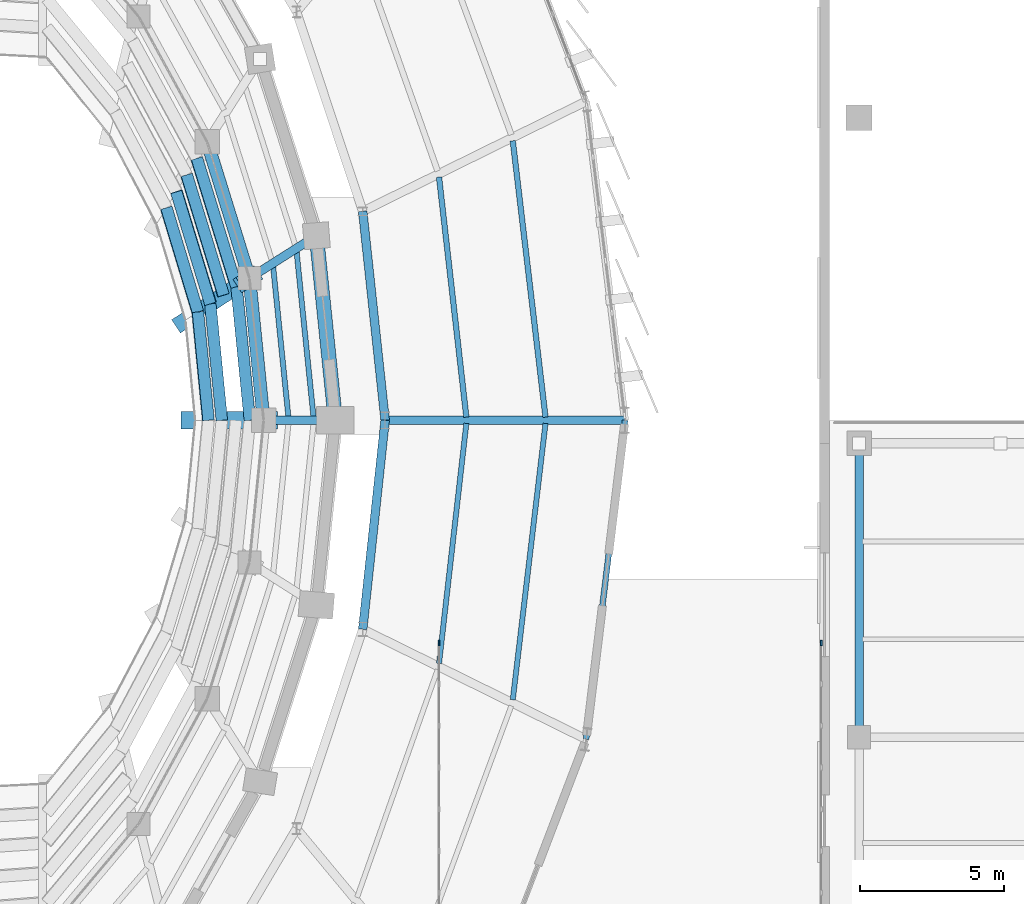
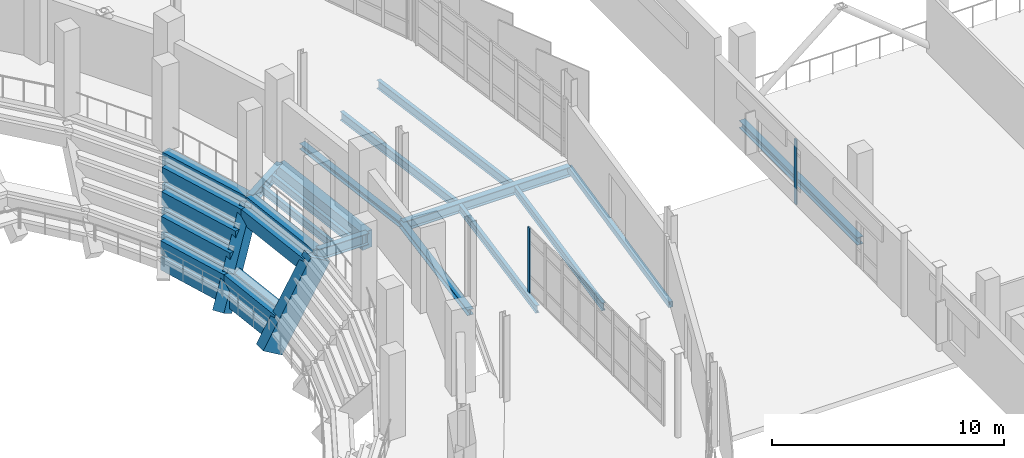
# One storey, part 72 of 134: 30 beams, 2 members, 2 elements without a shape of their own.
"""IFC4 building model written with IfcOpenShell, lengths in metres."""

from ifc_helpers import new_model, si_unit, direction, frame, origin, origin_2d, place, context, subcontext, project, spatial, rectangle, hollow_rectangle, i_section, extrude, material, layer, layer_set, material_profile, profile_set, type_object, element, aggregate, save


model = new_model("IFC4")

# Units and contexts
model_context = context("Model", 3, precision=1e-05, world=origin(), true_north=direction((0.0, 1.0)))
body_context = subcontext(model_context, "Body", "Model", "MODEL_VIEW")
ifc_project = project(units=[si_unit("LENGTHUNIT", "METRE"), si_unit("AREAUNIT", "SQUARE_METRE"), si_unit("VOLUMEUNIT", "CUBIC_METRE"), si_unit("PLANEANGLEUNIT", "RADIAN"), si_unit("MASSUNIT", "GRAM", prefix="KILO")], contexts=[model_context])

# Site, building, storey
site_placement = place(None, origin())
site = spatial("IfcSite", under=ifc_project, at=site_placement, CompositionType="ELEMENT")
building_placement = place(site_placement, origin())
building = spatial("IfcBuilding", under=site, at=building_placement, Name="Sohan Crest Arena", CompositionType="ELEMENT")
storey_placement = place(building_placement, frame((0.0, 0.0, 4.5)))
storey = spatial("IfcBuildingStorey", under=building, at=storey_placement, Name="L01", CompositionType="ELEMENT", Elevation=4.5)

# Curtain wall, member
ifc_material_1 = material(Name="Thermally broken anodised aluminium", Category="aluminium")
ifc_layer = layer(ifc_material_1, 0.18994140625, Name="Thermally broken anodised aluminium")
ifc_layer_set = layer_set([ifc_layer], Name="Thermally broken anodised aluminium")
curtain_wall_type = type_object("IfcCurtainWallType", Name="ARC-CW05", PredefinedType="NOTDEFINED", material=ifc_layer_set)
curtain_wall_1_placement = place(storey_placement, origin())
curtain_wall_1 = element("IfcCurtainWall", 1, at=curtain_wall_1_placement, inside=storey, type_object=curtain_wall_type, Name="Unitised curtain wall CW-241", PredefinedType="NOTDEFINED")
ifc_material_profile_1 = material_profile(ifc_material_1, rectangle(XDim=0.06494140625, YDim=0.179931640625, at=origin_2d()), Name="ALU-MULL 65x180")
ifc_profile_set_1 = profile_set([ifc_material_profile_1], Name="Thermally broken anodised aluminium")
member_type = type_object("IfcMemberType", Name="ARC-CW-ML02", PredefinedType="MULLION", material=ifc_profile_set_1)
member_1_placement = place(storey_placement, frame((181.6201171875, 70.267578125, 0.0), z_axis=(0.0, 0.0, 1.0), x_axis=(-1.0, 0.0, 0.0)))
member_1 = element("IfcMember", 2, at=member_1_placement, type_object=member_type, Name="CW-241 mullion 9", PredefinedType="MULLION", context=body_context, shape_type="SweptSolid", body=[
    extrude(rectangle(XDim=0.06494140625, YDim=0.179931640625, at=origin_2d()), origin(), (0.0, 0.0, 1.0), 3.39990234375),
])
aggregate(curtain_wall_1, [member_1])

curtain_wall_2_placement = place(storey_placement, origin())
curtain_wall_2 = element("IfcCurtainWall", 3, at=curtain_wall_2_placement, inside=storey, type_object=curtain_wall_type, Name="Unitised curtain wall CW-242", PredefinedType="NOTDEFINED")
member_2_placement = place(storey_placement, frame((194.8798828125, 70.267578125, 0.0), z_axis=(0.0, 0.0, 1.0), x_axis=(-1.0, 0.0, 0.0)))
member_2 = element("IfcMember", 4, at=member_2_placement, type_object=member_type, Name="CW-242 mullion 9", PredefinedType="MULLION", context=body_context, shape_type="SweptSolid", body=[
    extrude(rectangle(XDim=0.06494140625, YDim=0.179931640625, at=origin_2d()), origin(), (0.0, 0.0, 1.0), 3.39990234375),
])
aggregate(curtain_wall_2, [member_2])

# Beams
ifc_material_2 = material(Name="Steel S355", Category="steel")
ifc_material_profile_2 = material_profile(ifc_material_2, i_section(OverallWidth=0.179931640625, OverallDepth=0.39990234375, WebThickness=0.008544921875, FlangeThickness=0.013427734375, at=origin_2d()), Name="IPE 400")
ifc_profile_set_2 = profile_set([ifc_material_profile_2], Name="Steel S355")
beam_type_1 = type_object("IfcBeamType", Name="STR-BM-B03", PredefinedType="JOIST", material=ifc_profile_set_2)
beam_1_placement = place(storey_placement, frame((176.39306640625, 78.10888671875, -0.449951171875), z_axis=(-0.101030499598, 0.994883328914, 0.0), x_axis=(-0.994883328914, -0.101030499598, 0.0)))
element("IfcBeam", 5, at=beam_1_placement, inside=storey, type_object=beam_type_1, Name="Structural beam J-L01-0576", PredefinedType="JOIST", context=body_context, shape_type="SweptSolid", body=[
    extrude(i_section(OverallWidth=0.179931640625, OverallDepth=0.39990234375, WebThickness=0.008544921875, FlangeThickness=0.013427734375, at=origin_2d()), origin(), (0.0, 0.0, 1.0), 5.255859375),
])
beam_2_placement = place(storey_placement, frame((177.264892578125, 78.10888671875, -0.449951171875), z_axis=(-0.101947356638, 0.99478979512, 0.0), x_axis=(-0.99478979512, -0.101947356638, 0.0)))
element("IfcBeam", 6, at=beam_2_placement, inside=storey, type_object=beam_type_1, Name="Structural beam J-L01-0577", PredefinedType="JOIST", context=body_context, shape_type="SweptSolid", body=[
    extrude(i_section(OverallWidth=0.179931640625, OverallDepth=0.39990234375, WebThickness=0.008544921875, FlangeThickness=0.013427734375, at=origin_2d()), origin(), (0.0, 0.0, 1.0), 5.776123046875),
])
beam_3_placement = place(storey_placement, frame((181.6201171875, 69.55908203125, -0.47509765625), z_axis=(0.11316313726, 0.993576420999, 0.0), x_axis=(-0.993576420999, 0.11316313726, 0.0)))
element("IfcBeam", 7, at=beam_3_placement, inside=storey, type_object=beam_type_1, Name="Structural beam J-L01-1190", PredefinedType="JOIST", context=body_context, shape_type="SweptSolid", body=[
    extrude(i_section(OverallWidth=0.179931640625, OverallDepth=0.39990234375, WebThickness=0.008544921875, FlangeThickness=0.013427734375, at=origin_2d()), origin(), (0.0, 0.0, 1.0), 8.385986328125),
])
beam_4_placement = place(storey_placement, frame((184.179931640625, 68.299072265625, -0.47509765625), z_axis=(0.117608198901, 0.993060074493, 0.0), x_axis=(-0.993060074493, 0.117608198901, 0.0)))
element("IfcBeam", 8, at=beam_4_placement, inside=storey, type_object=beam_type_1, Name="Structural beam J-L01-1191", PredefinedType="JOIST", context=body_context, shape_type="SweptSolid", body=[
    extrude(i_section(OverallWidth=0.179931640625, OverallDepth=0.39990234375, WebThickness=0.008544921875, FlangeThickness=0.013427734375, at=origin_2d()), origin(), (0.0, 0.0, 1.0), 9.6591796875),
])
ifc_material_profile_3 = material_profile(ifc_material_2, i_section(OverallWidth=0.18994140625, OverallDepth=0.449951171875, WebThickness=0.009521484375, FlangeThickness=0.0146484375, at=origin_2d()), Name="IPE 450")
ifc_profile_set_3 = profile_set([ifc_material_profile_3], Name="Steel S355")
beam_type_2 = type_object("IfcBeamType", Name="STR-BM-B04", PredefinedType="JOIST", material=ifc_profile_set_3)
beam_5_placement = place(storey_placement, frame((182.569091796875, 78.10888671875, -0.5), z_axis=(-0.11316313726, 0.993576420999, 0.0), x_axis=(-0.993576420999, -0.11316313726, 0.0)))
element("IfcBeam", 9, at=beam_5_placement, inside=storey, type_object=beam_type_2, Name="Structural beam J-L01-1195", PredefinedType="JOIST", context=body_context, shape_type="SweptSolid", body=[
    extrude(i_section(OverallWidth=0.18994140625, OverallDepth=0.449951171875, WebThickness=0.009521484375, FlangeThickness=0.0146484375, at=origin_2d()), origin(), (0.0, 0.0, 1.0), 8.385986328125),
])
beam_6_placement = place(storey_placement, frame((185.31591796875, 78.10888671875, -0.5), z_axis=(-0.117608198901, 0.993060074493, 0.0), x_axis=(-0.993060074493, -0.117608198901, 0.0)))
element("IfcBeam", 10, at=beam_6_placement, inside=storey, type_object=beam_type_2, Name="Structural beam J-L01-1196", PredefinedType="JOIST", context=body_context, shape_type="SweptSolid", body=[
    extrude(i_section(OverallWidth=0.18994140625, OverallDepth=0.449951171875, WebThickness=0.009521484375, FlangeThickness=0.0146484375, at=origin_2d()), origin(), (0.0, 0.0, 1.0), 9.6591796875),
])
ifc_material_profile_4 = material_profile(ifc_material_2, i_section(OverallWidth=0.300048828125, OverallDepth=0.389892578125, WebThickness=0.010986328125, FlangeThickness=0.01904296875, at=origin_2d()), Name="HEA 400")
ifc_profile_set_4 = profile_set([ifc_material_profile_4], Name="Steel S355")
beam_type_3 = type_object("IfcBeamType", Name="STR-BM-B09", PredefinedType="BEAM", material=ifc_profile_set_4)
beam_7_placement = place(storey_placement, frame((196.199951171875, 67.0, -0.425048828125), z_axis=(0.0, 1.0, 0.0), x_axis=(-1.0, 0.0, 0.0)))
element("IfcBeam", 11, at=beam_7_placement, inside=storey, type_object=beam_type_3, Name="Structural beam G-L01-2267", PredefinedType="BEAM", context=body_context, shape_type="SweptSolid", body=[
    extrude(i_section(OverallWidth=0.300048828125, OverallDepth=0.389892578125, WebThickness=0.010986328125, FlangeThickness=0.01904296875, at=origin_2d()), origin(), (0.0, 0.0, 1.0), 10.199951171875),
])
ifc_material_profile_5 = material_profile(ifc_material_2, i_section(OverallWidth=0.300048828125, OverallDepth=0.590087890625, WebThickness=0.012939453125, FlangeThickness=0.02490234375, at=origin_2d()), Name="HEA 600")
ifc_profile_set_5 = profile_set([ifc_material_profile_5], Name="Steel S355")
beam_type_4 = type_object("IfcBeamType", Name="STR-BM-B11", PredefinedType="BEAM", material=ifc_profile_set_5)
beam_8_placement = place(storey_placement, frame((175.531982421875, 78.0, -0.544921875), z_axis=(1.0, 0.0, 0.0), x_axis=(0.0, 1.0, 0.0)))
element("IfcBeam", 12, at=beam_8_placement, inside=storey, type_object=beam_type_4, Name="Structural beam G-L01-0575", PredefinedType="BEAM", context=body_context, shape_type="SweptSolid", body=[
    extrude(i_section(OverallWidth=0.300048828125, OverallDepth=0.590087890625, WebThickness=0.012939453125, FlangeThickness=0.02490234375, at=origin_2d()), origin(), (0.0, 0.0, 1.0), 2.490966796875),
])
beam_9_placement = place(storey_placement, frame((175.037109375, 82.929931640625, -0.544921875), z_axis=(0.84416826172, 0.536078302027, 0.0), x_axis=(-0.536078302027, 0.84416826172, 0.0)))
element("IfcBeam", 13, at=beam_9_placement, inside=storey, type_object=beam_type_4, Name="Structural beam G-L01-0598", PredefinedType="BEAM", context=body_context, shape_type="SweptSolid", body=[
    extrude(i_section(OverallWidth=0.300048828125, OverallDepth=0.590087890625, WebThickness=0.012939453125, FlangeThickness=0.02490234375, at=origin_2d()), origin(), (0.0, 0.0, 1.0), 2.75537109375),
])
ifc_material_profile_6 = material_profile(ifc_material_2, i_section(OverallWidth=0.300048828125, OverallDepth=0.300048828125, WebThickness=0.010986328125, FlangeThickness=0.01904296875, at=origin_2d()), Name="HEB 300")
ifc_profile_set_6 = profile_set([ifc_material_profile_6], Name="Steel S355")
beam_type_5 = type_object("IfcBeamType", Name="STR-BM-B12", PredefinedType="BEAM", material=ifc_profile_set_6)
for number, where, z_axis, x_axis, name in (
    (14, (178.971923828125, 70.748046875, -0.425048828125), (0.106679679342, 0.994293440598, 0.0), (-0.994293440598, 0.106679679342, 0.0), "Structural beam G-L01-1188"),
    (15, (179.75, 78.0, -0.425048828125), (-0.106679679342, 0.994293440598, 0.0), (-0.994293440598, -0.106679679342, 0.0), "Structural beam G-L01-1193"),
):
    element("IfcBeam", number, at=place(storey_placement, frame(where, z_axis=z_axis, x_axis=x_axis)), inside=storey, type_object=beam_type_5, Name=name, PredefinedType="BEAM", context=body_context, shape_type="SweptSolid", body=[
        extrude(i_section(OverallWidth=0.300048828125, OverallDepth=0.300048828125, WebThickness=0.010986328125, FlangeThickness=0.01904296875, at=origin_2d()), origin(), (0.0, 0.0, 1.0), 7.29345703125),
    ])
ifc_material_profile_7 = material_profile(ifc_material_2, i_section(OverallWidth=0.300048828125, OverallDepth=0.5, WebThickness=0.014404296875, FlangeThickness=0.028076171875, at=origin_2d()), Name="HEB 500")
ifc_profile_set_7 = profile_set([ifc_material_profile_7], Name="Steel S355")
beam_type_6 = type_object("IfcBeamType", Name="STR-BM-B14", PredefinedType="BEAM", material=ifc_profile_set_7)
beam_10_placement = place(storey_placement, frame((179.75, 78.0, -0.52490234375), z_axis=(1.0, 0.0, 0.0), x_axis=(0.0, 1.0, 0.0)))
element("IfcBeam", 16, at=beam_10_placement, inside=storey, type_object=beam_type_6, Name="Structural beam G-L01-1192", PredefinedType="BEAM", context=body_context, shape_type="SweptSolid", body=[
    extrude(i_section(OverallWidth=0.300048828125, OverallDepth=0.5, WebThickness=0.014404296875, FlangeThickness=0.028076171875, at=origin_2d()), origin(), (0.0, 0.0, 1.0), 8.326904296875),
])
ifc_material_3 = material(Name="Precast concrete C50/60", Category="concrete")
ifc_material_profile_8 = material_profile(ifc_material_3, rectangle(XDim=0.550048828125, YDim=0.89990234375, at=origin_2d()), Name="RAKER 550x900")
ifc_profile_set_8 = profile_set([ifc_material_profile_8], Name="Precast concrete C50/60")
beam_type_7 = type_object("IfcBeamType", Name="STR-BM-RK01", PredefinedType="USERDEFINED", material=ifc_profile_set_8)
beam_11_placement = place(storey_placement, frame((172.80810546875, 81.467041015625, -4.75), z_axis=(0.455760331498, 0.299114557101, 0.838339431235), x_axis=(-0.54868444332, 0.836029533963, 0.0)))
element("IfcBeam", 17, at=beam_11_placement, inside=storey, type_object=beam_type_7, Name="Structural beam RK-L01-0875", ObjectType="RAKER", PredefinedType="USERDEFINED", context=body_context, shape_type="SweptSolid", body=[
    extrude(rectangle(XDim=0.550048828125, YDim=0.89990234375, at=origin_2d()), origin(), (0.0, 0.0, 1.0), 4.890625),
])
ifc_material_profile_9 = material_profile(ifc_material_3, rectangle(XDim=0.60009765625, YDim=1.10009765625, at=origin_2d()), Name="RAKER 600x1100")
ifc_profile_set_9 = profile_set([ifc_material_profile_9], Name="Precast concrete C50/60")
beam_type_8 = type_object("IfcBeamType", Name="STR-BM-RK03", PredefinedType="USERDEFINED", material=ifc_profile_set_9)
beam_12_placement = place(storey_placement, frame((173.14501953125, 78.0, -4.75), z_axis=(0.503122136639, 0.0, 0.86421531786), x_axis=(0.0, 1.0, 0.0)))
element("IfcBeam", 18, at=beam_12_placement, inside=storey, type_object=beam_type_8, Name="Structural beam RK-L01-0874", ObjectType="RAKER", PredefinedType="USERDEFINED", context=body_context, shape_type="SweptSolid", body=[
    extrude(rectangle(XDim=0.60009765625, YDim=1.10009765625, at=origin_2d()), origin(), (0.0, 0.0, 1.0), 4.744384765625),
])
ifc_material_profile_10 = material_profile(ifc_material_2, hollow_rectangle(XDim=0.199951171875, YDim=0.300048828125, WallThickness=0.010009765625, at=origin_2d()), Name="RHS 300x200x10")
ifc_profile_set_10 = profile_set([ifc_material_profile_10], Name="Steel S355")
beam_type_9 = type_object("IfcBeamType", Name="STR-BM-SP03", PredefinedType="SPANDREL", material=ifc_profile_set_10)
beam_13_placement = place(storey_placement, frame((186.72509765625, 66.929931640625, -0.425048828125), z_axis=(0.121213260401, 0.992626488415, 0.0), x_axis=(-0.992626488415, 0.121213260401, 0.0)))
element("IfcBeam", 19, at=beam_13_placement, inside=storey, type_object=beam_type_9, Name="Structural beam SP-L01-1189", PredefinedType="SPANDREL", context=body_context, shape_type="SweptSolid", body=[
    extrude(hollow_rectangle(XDim=0.199951171875, YDim=0.300048828125, WallThickness=0.010009765625, at=origin_2d()), origin(), (0.0, 0.0, 1.0), 11.15234375),
])
ifc_material_4 = material(Name="Concrete C40/50", Category="concrete")
ifc_material_profile_11 = material_profile(ifc_material_4, rectangle(XDim=0.39990234375, YDim=0.699951171875, at=origin_2d()), Name="RC-BM 400x700")
ifc_profile_set_11 = profile_set([ifc_material_profile_11], Name="Concrete C40/50")
beam_type_10 = type_object("IfcBeamType", Name="STR-BM-TB01", PredefinedType="BEAM", material=ifc_profile_set_11)
beam_14_placement = place(storey_placement, frame((173.60302734375, 78.0, -4.220947265625), z_axis=(-0.097436706, 0.995241723565, 0.0), x_axis=(-0.995241723565, -0.097436706, 0.0)))
element("IfcBeam", 20, at=beam_14_placement, inside=storey, type_object=beam_type_10, Name="Tier rear stringer beam TSB-L179B", PredefinedType="BEAM", context=body_context, shape_type="SweptSolid", body=[
    extrude(rectangle(XDim=0.39990234375, YDim=0.699951171875, at=origin_2d()), origin(), (0.0, 0.0, 1.0), 3.765869140625),
])
beam_15_placement = place(storey_placement, frame((173.6220703125, 78.0, -3.40087890625), z_axis=(-0.097449685266, 0.995240452776, 0.0), x_axis=(-0.995240452776, -0.097449685266, 0.0)))
element("IfcBeam", 21, at=beam_15_placement, inside=storey, type_object=beam_type_10, Name="Tier front stringer beam TSB-L180A", PredefinedType="BEAM", context=body_context, shape_type="SweptSolid", body=[
    extrude(rectangle(XDim=0.39990234375, YDim=0.699951171875, at=origin_2d()), origin(), (0.0, 0.0, 1.0), 3.778076171875),
])
beam_16_placement = place(storey_placement, frame((174.0810546875, 78.0, -3.40087890625), z_axis=(-0.098324717155, 0.995154385006, 0.0), x_axis=(-0.995154385006, -0.098324717155, 0.0)))
element("IfcBeam", 22, at=beam_16_placement, inside=storey, type_object=beam_type_10, Name="Tier rear stringer beam TSB-L180B", PredefinedType="BEAM", context=body_context, shape_type="SweptSolid", body=[
    extrude(rectangle(XDim=0.39990234375, YDim=0.699951171875, at=origin_2d()), origin(), (0.0, 0.0, 1.0), 4.059814453125),
])
beam_17_placement = place(storey_placement, frame((175.054931640625, 78.0, -0.94091796875), z_axis=(-0.099540028501, 0.995033558593, 0.0), x_axis=(-0.995033558593, -0.099540028501, 0.0)))
element("IfcBeam", 23, at=beam_17_placement, inside=storey, type_object=beam_type_10, Name="Tier front stringer beam TSB-L181A", PredefinedType="BEAM", context=body_context, shape_type="SweptSolid", body=[
    extrude(rectangle(XDim=0.39990234375, YDim=0.699951171875, at=origin_2d()), origin(), (0.0, 0.0, 1.0), 4.66015625),
])
beam_18_placement = place(storey_placement, frame((173.236083984375, 81.748046875, -4.220947265625), z_axis=(-0.28913123399, 0.957289470083, 0.0), x_axis=(-0.957289470083, -0.28913123399, 0.0)))
element("IfcBeam", 24, at=beam_18_placement, inside=storey, type_object=beam_type_10, Name="Tier rear stringer beam TSB-L182B", PredefinedType="BEAM", context=body_context, shape_type="SweptSolid", body=[
    extrude(rectangle(XDim=0.39990234375, YDim=0.699951171875, at=origin_2d()), origin(), (0.0, 0.0, 1.0), 3.766845703125),
])
beam_19_placement = place(storey_placement, frame((173.25390625, 81.760009765625, -3.40087890625), z_axis=(-0.28927384836, 0.957246384509, 0.0), x_axis=(-0.957246384509, -0.28927384836, 0.0)))
element("IfcBeam", 25, at=beam_19_placement, inside=storey, type_object=beam_type_10, Name="Tier front stringer beam TSB-L183A", PredefinedType="BEAM", context=body_context, shape_type="SweptSolid", body=[
    extrude(rectangle(XDim=0.39990234375, YDim=0.699951171875, at=origin_2d()), origin(), (0.0, 0.0, 1.0), 3.778564453125),
])
beam_20_placement = place(storey_placement, frame((173.681884765625, 82.0400390625, -3.40087890625), z_axis=(-0.290979832495, 0.956729186908, 0.0), x_axis=(-0.956729186908, -0.290979832495, 0.0)))
element("IfcBeam", 26, at=beam_20_placement, inside=storey, type_object=beam_type_10, Name="Tier rear stringer beam TSB-L183B", PredefinedType="BEAM", context=body_context, shape_type="SweptSolid", body=[
    extrude(rectangle(XDim=0.39990234375, YDim=0.699951171875, at=origin_2d()), origin(), (0.0, 0.0, 1.0), 4.061767578125),
])
beam_21_placement = place(storey_placement, frame((173.699951171875, 82.052001953125, -2.5810546875), z_axis=(-0.291161615783, 0.956673880429, 0.0), x_axis=(-0.956673880429, -0.291161615783, 0.0)))
element("IfcBeam", 27, at=beam_21_placement, inside=storey, type_object=beam_type_10, Name="Tier front stringer beam TSB-L184A", PredefinedType="BEAM", context=body_context, shape_type="SweptSolid", body=[
    extrude(rectangle(XDim=0.39990234375, YDim=0.699951171875, at=origin_2d()), origin(), (0.0, 0.0, 1.0), 4.073486328125),
])
beam_22_placement = place(storey_placement, frame((174.1279296875, 82.3330078125, -2.5810546875), z_axis=(-0.29289623478, 0.956144233707, 0.0), x_axis=(-0.956144233707, -0.29289623478, 0.0)))
element("IfcBeam", 28, at=beam_22_placement, inside=storey, type_object=beam_type_10, Name="Tier rear stringer beam TSB-L184B", PredefinedType="BEAM", context=body_context, shape_type="SweptSolid", body=[
    extrude(rectangle(XDim=0.39990234375, YDim=0.699951171875, at=origin_2d()), origin(), (0.0, 0.0, 1.0), 4.35595703125),
])
beam_23_placement = place(storey_placement, frame((174.14501953125, 82.344970703125, -1.760986328125), z_axis=(-0.292918747926, 0.956137336952, 0.0), x_axis=(-0.956137336952, -0.292918747926, 0.0)))
element("IfcBeam", 29, at=beam_23_placement, inside=storey, type_object=beam_type_10, Name="Tier front stringer beam TSB-L185A", PredefinedType="BEAM", context=body_context, shape_type="SweptSolid", body=[
    extrude(rectangle(XDim=0.39990234375, YDim=0.699951171875, at=origin_2d()), origin(), (0.0, 0.0, 1.0), 4.36669921875),
])
beam_24_placement = place(storey_placement, frame((174.572998046875, 82.6259765625, -1.760986328125), z_axis=(-0.294244526852, 0.955730170298, 0.0), x_axis=(-0.955730170298, -0.294244526852, 0.0)))
element("IfcBeam", 30, at=beam_24_placement, inside=storey, type_object=beam_type_10, Name="Tier rear stringer beam TSB-L185B", PredefinedType="BEAM", context=body_context, shape_type="SweptSolid", body=[
    extrude(rectangle(XDim=0.39990234375, YDim=0.699951171875, at=origin_2d()), origin(), (0.0, 0.0, 1.0), 4.64892578125),
])
beam_25_placement = place(storey_placement, frame((174.591064453125, 82.636962890625, -0.94091796875), z_axis=(-0.294336096628, 0.955701973536, 0.0), x_axis=(-0.955701973536, -0.294336096628, 0.0)))
element("IfcBeam", 31, at=beam_25_placement, inside=storey, type_object=beam_type_10, Name="Tier front stringer beam TSB-L186A", PredefinedType="BEAM", context=body_context, shape_type="SweptSolid", body=[
    extrude(rectangle(XDim=0.39990234375, YDim=0.699951171875, at=origin_2d()), origin(), (0.0, 0.0, 1.0), 4.66162109375),
])
ifc_material_profile_12 = material_profile(ifc_material_4, rectangle(XDim=0.449951171875, YDim=0.800048828125, at=origin_2d()), Name="RC-BM 450x800")
ifc_profile_set_12 = profile_set([ifc_material_profile_12], Name="Concrete C40/50")
beam_type_11 = type_object("IfcBeamType", Name="STR-BM-TB02", PredefinedType="BEAM", material=ifc_profile_set_12)
beam_26_placement = place(storey_placement, frame((175.531982421875, 78.0, -0.64990234375), z_axis=(-0.099879368849, 0.994999553607, 0.0), x_axis=(-0.994999553607, -0.099879368849, 0.0)))
element("IfcBeam", 32, at=beam_26_placement, inside=storey, type_object=beam_type_11, Name="Structural beam TB-L01-0573", PredefinedType="BEAM", context=body_context, shape_type="SweptSolid", body=[
    extrude(rectangle(XDim=0.449951171875, YDim=0.800048828125, at=origin_2d()), origin(), (0.0, 0.0, 1.0), 4.95458984375),
])
beam_27_placement = place(storey_placement, frame((175.037109375, 82.929931640625, -0.64990234375), z_axis=(-0.295819661295, 0.955243805524, 0.0), x_axis=(-0.955243805524, -0.295819661295, 0.0)))
element("IfcBeam", 33, at=beam_27_placement, inside=storey, type_object=beam_type_11, Name="Structural beam TB-L01-0596", PredefinedType="BEAM", context=body_context, shape_type="SweptSolid", body=[
    extrude(rectangle(XDim=0.449951171875, YDim=0.800048828125, at=origin_2d()), origin(), (0.0, 0.0, 1.0), 4.9560546875),
])
ifc_material_profile_13 = material_profile(ifc_material_4, rectangle(XDim=0.5, YDim=0.89990234375, at=origin_2d()), Name="RC-BM 500x900")
ifc_profile_set_13 = profile_set([ifc_material_profile_13], Name="Concrete C40/50")
beam_type_12 = type_object("IfcBeamType", Name="STR-BM-TB03", PredefinedType="BEAM", material=ifc_profile_set_13)
beam_28_placement = place(storey_placement, frame((178.02294921875, 78.0, -0.699951171875), z_axis=(-0.102456857996, 0.994737448903, 0.0), x_axis=(-0.994737448903, -0.102456857996, 0.0)))
element("IfcBeam", 34, at=beam_28_placement, inside=storey, type_object=beam_type_12, Name="Structural beam TB-L01-0574", PredefinedType="BEAM", context=body_context, shape_type="SweptSolid", body=[
    extrude(rectangle(XDim=0.5, YDim=0.89990234375, at=origin_2d()), origin(), (0.0, 0.0, 1.0), 6.44091796875),
])

save(model, "model.ifc")
